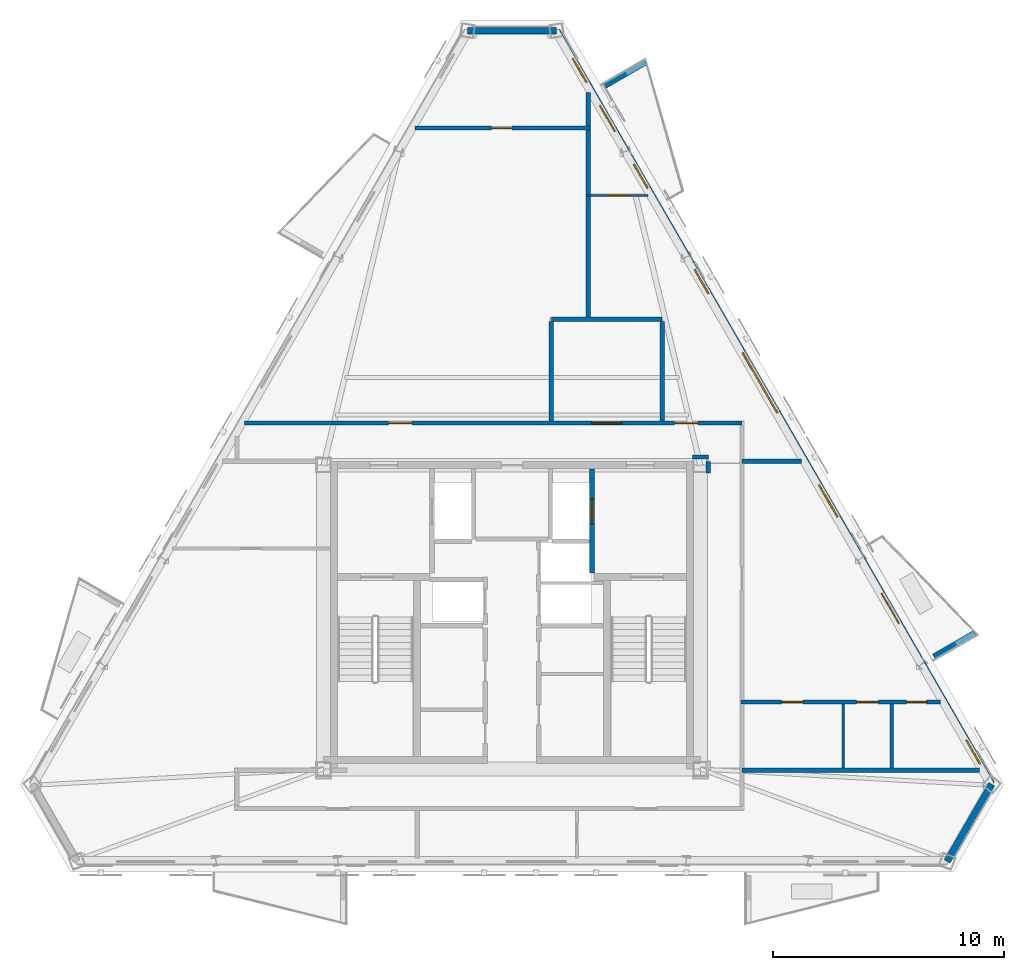
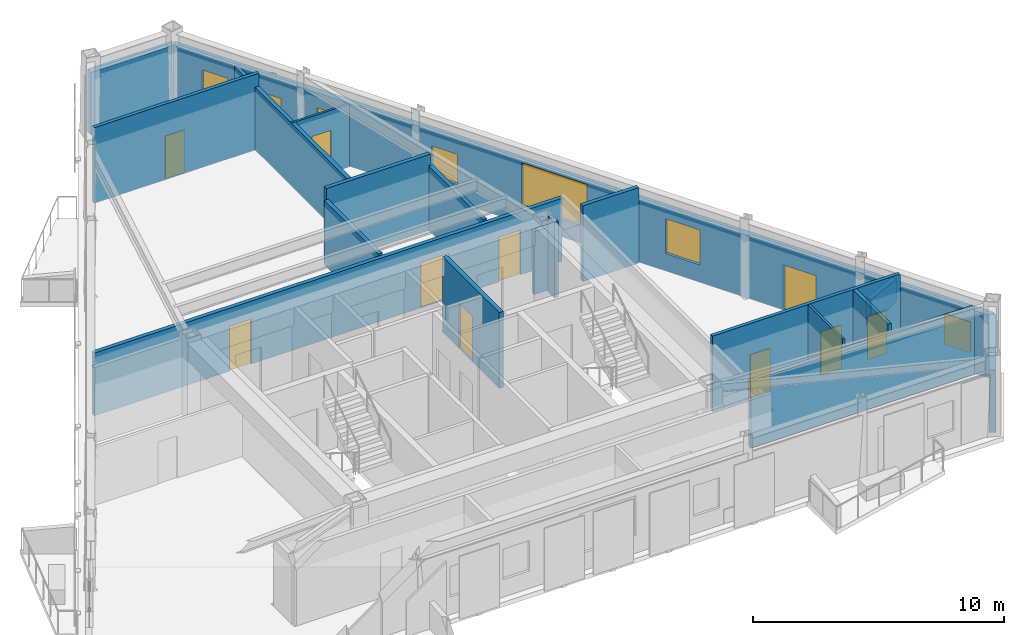
# One storey, part 4 of 9: 20 walls, 11 doors, 6 windows, 17 openings.
"""IFC4 building model written with IfcOpenShell, lengths in metres."""

from ifc_helpers import new_model, si_unit, direction, frame, frame_2d, origin, place, context, subcontext, project, spatial, polyline, rectangle, outline, extrude, material, layer, layer_set, type_object, element, fill, save


model = new_model("IFC4")

# Units and contexts
model_context = context("Model", 3, precision=1e-05, world=origin(), true_north=direction((0.0, 1.0)))
body_context = subcontext(model_context, "Body", "Model", "MODEL_VIEW")
ifc_project = project(units=[si_unit("LENGTHUNIT", "METRE"), si_unit("AREAUNIT", "SQUARE_METRE"), si_unit("VOLUMEUNIT", "CUBIC_METRE"), si_unit("PLANEANGLEUNIT", "RADIAN"), si_unit("MASSUNIT", "GRAM", prefix="KILO")], contexts=[model_context])

# Site, building, storey
site_placement = place(None, origin())
site = spatial("IfcSite", under=ifc_project, at=site_placement, CompositionType="ELEMENT")
building_placement = place(site_placement, origin())
building = spatial("IfcBuilding", under=site, at=building_placement, Name="Oramaril Tower", CompositionType="ELEMENT")
storey_placement = place(building_placement, frame((0.0, 0.0, 301.199951171875)))
storey = spatial("IfcBuildingStorey", under=building, at=storey_placement, Name="L79", CompositionType="ELEMENT", Elevation=301.199951171875)

# Wall
ifc_material_1 = material(Name="Warm Cream Limestone", Category="masonry")
ifc_layer_1 = layer(ifc_material_1, 0.2900390625)
ifc_layer_set_1 = layer_set([ifc_layer_1], Name="WT-EXT29")
wall_type_1 = type_object("IfcWallType", Name="WT-EXT29", PredefinedType="SOLIDWALL", material=ifc_layer_set_1)
wall_1_placement = place(storey_placement, frame((56.328857421875, 6.997802734375, 0.0), z_axis=(0.0, 0.0, 1.0), x_axis=(0.499977629202, 0.866038319186, 0.0)))
element("IfcWall", 1, at=wall_1_placement, inside=storey, type_object=wall_type_1, Name="L79 Tower Limestone Facade Wall 3M", PredefinedType="SOLIDWALL", context=body_context, shape_type="SweptSolid", body=[
    extrude(rectangle(XDim=3.864990234375, YDim=0.2900390625, at=frame_2d((1.9326171875, 0.0))), origin(), (0.0, 0.0, 1.0), 3.05810546875),
])

# Wall, openings, doors, windows
wall_2_placement = place(storey_placement, frame((58.26123046875, 10.344970703125, 0.0), z_axis=(0.0, 0.0, 1.0), x_axis=(-0.499999872078, 0.86602547764, 0.0)))
wall_2 = element("IfcWall", 2, at=wall_2_placement, inside=storey, type_object=wall_type_1, Name="L79 Tower Limestone Facade Wall 4M", PredefinedType="SOLIDWALL", context=body_context, shape_type="SweptSolid", body=[
    extrude(rectangle(XDim=37.65771484375, YDim=0.2900390625, at=frame_2d((18.828857421875, 0.0))), origin(), (0.0, 0.0, 1.0), 3.05810546875),
])
opening_1_placement = place(wall_2_placement, frame((8.034423828125, 0.0, 0.0)))
opening_1 = element("IfcOpeningElement", 3, at=opening_1_placement, cuts=wall_2, Name="Opening D-L79-BAL-NE1", PredefinedType="OPENING", context=body_context, shape_type="SweptSolid", body=[
    extrude(rectangle(XDim=1.5, YDim=2.199951171875, at=frame_2d((0.75, 1.10009765625))), frame((0.0, 0.14501953125, 0.0), z_axis=(0.0, -1.0, 0.0), x_axis=(1.0, 0.0, 0.0)), (0.0, 0.0, 1.0), 0.2900390625),
])
opening_2_placement = place(wall_2_placement, frame((32.618408203125, 0.0, 0.0)))
opening_2 = element("IfcOpeningElement", 4, at=opening_2_placement, cuts=wall_2, Name="Opening D-L79-BAL-NE2", PredefinedType="OPENING", context=body_context, shape_type="SweptSolid", body=[
    extrude(rectangle(XDim=1.300048828125, YDim=2.199951171875, at=frame_2d((0.64990234375, 1.10009765625))), frame((0.0, 0.14501953125, 0.0), z_axis=(0.0, -1.0, 0.0), x_axis=(1.0, 0.0, 0.0)), (0.0, 0.0, 1.0), 0.2900390625),
])
opening_3_placement = place(wall_2_placement, frame((1.002685546875, 0.0, 0.85009765625)))
opening_3 = element("IfcOpeningElement", 5, at=opening_3_placement, cuts=wall_2, Name="Opening WN-09", PredefinedType="OPENING", context=body_context, shape_type="SweptSolid", body=[
    extrude(rectangle(XDim=1.199951171875, YDim=1.47998046875, at=frame_2d((0.60009765625, 0.739990234375))), frame((0.0, 0.14501953125, 0.0), z_axis=(0.0, -1.0, 0.0), x_axis=(1.0, 0.0, 0.0)), (0.0, 0.0, 1.0), 0.2900390625),
])
opening_4_placement = place(wall_2_placement, frame((13.351806640625, 0.0, 0.85009765625)))
opening_4 = element("IfcOpeningElement", 6, at=opening_4_placement, cuts=wall_2, Name="Opening WN-07", PredefinedType="OPENING", context=body_context, shape_type="SweptSolid", body=[
    extrude(rectangle(XDim=1.60009765625, YDim=1.699951171875, at=frame_2d((0.800048828125, 0.85009765625))), frame((0.0, 0.14501953125, 0.0), z_axis=(0.0, -1.0, 0.0), x_axis=(1.0, 0.0, 0.0)), (0.0, 0.0, 1.0), 0.2900390625),
])
opening_5_placement = place(wall_2_placement, frame((35.0634765625, 0.0, 0.85009765625)))
opening_5 = element("IfcOpeningElement", 7, at=opening_5_placement, cuts=wall_2, Name="Opening WN-09", PredefinedType="OPENING", context=body_context, shape_type="SweptSolid", body=[
    extrude(rectangle(XDim=1.199951171875, YDim=1.47998046875, at=frame_2d((0.60009765625, 0.739990234375))), frame((0.0, 0.14501953125, 0.0), z_axis=(0.0, -1.0, 0.0), x_axis=(1.0, 0.0, 0.0)), (0.0, 0.0, 1.0), 0.2900390625),
])
opening_6_placement = place(wall_2_placement, frame((18.558837890625, 0.0, 0.85009765625)))
opening_6 = element("IfcOpeningElement", 8, at=opening_6_placement, cuts=wall_2, Name="Opening WN-10", PredefinedType="OPENING", context=body_context, shape_type="SweptSolid", body=[
    extrude(rectangle(XDim=3.0, YDim=2.097900390625, at=frame_2d((1.5, 1.048828125))), frame((0.0, 0.14501953125, 0.0), z_axis=(0.0, -1.0, 0.0), x_axis=(1.0, 0.0, 0.0)), (0.0, 0.0, 1.0), 0.2900390625),
])
opening_7_placement = place(wall_2_placement, frame((24.513671875, 0.0, 0.85009765625)))
opening_7 = element("IfcOpeningElement", 9, at=opening_7_placement, cuts=wall_2, Name="Opening WN-09", PredefinedType="OPENING", context=body_context, shape_type="SweptSolid", body=[
    extrude(rectangle(XDim=1.199951171875, YDim=1.47998046875, at=frame_2d((0.60009765625, 0.739990234375))), frame((0.0, 0.14501953125, 0.0), z_axis=(0.0, -1.0, 0.0), x_axis=(1.0, 0.0, 0.0)), (0.0, 0.0, 1.0), 0.2900390625),
])
opening_8_placement = place(wall_2_placement, frame((29.7802734375, 0.0, 0.85009765625)))
opening_8 = element("IfcOpeningElement", 10, at=opening_8_placement, cuts=wall_2, Name="Opening WN-09", PredefinedType="OPENING", context=body_context, shape_type="SweptSolid", body=[
    extrude(rectangle(XDim=1.199951171875, YDim=1.47998046875, at=frame_2d((0.60009765625, 0.739990234375))), frame((0.0, 0.14501953125, 0.0), z_axis=(0.0, -1.0, 0.0), x_axis=(1.0, 0.0, 0.0)), (0.0, 0.0, 1.0), 0.2900390625),
])
ifc_material_2 = material(Name="Anodised Aluminium 6063-T6", Category="aluminium")
door_type_1 = type_object("IfcDoorType", Name="DT-BAL", OperationType="NOTDEFINED", PredefinedType="DOOR", material=ifc_material_2)
door_1_placement = place(opening_1_placement, origin())
door_1 = element("IfcDoor", 11, at=door_1_placement, inside=storey, type_object=door_type_1, Name="L79 Balcony Glazed Door L79-BAL-NE1", OperationType="SINGLE_SWING_RIGHT", OverallHeight=2.199951171875, OverallWidth=1.5, PredefinedType="DOOR", context=body_context, shape_type="SweptSolid", body=[
    extrude(rectangle(XDim=1.5, YDim=2.199951171875, at=frame_2d((0.75, 1.10009765625))), frame((0.0, 0.02490234375, 0.0), z_axis=(0.0, -1.0, 0.0), x_axis=(1.0, 0.0, 0.0)), (0.0, 0.0, 1.0), 0.050048828125),
])
fill(opening_1, door_1)
ifc_material_3 = material(Name="Anodised Aluminium 6063-T6", Category="aluminium")
door_type_2 = type_object("IfcDoorType", Name="DT-E2", OperationType="NOTDEFINED", PredefinedType="DOOR", material=ifc_material_3)
door_2_placement = place(opening_2_placement, origin())
door_2 = element("IfcDoor", 12, at=door_2_placement, inside=storey, type_object=door_type_2, Name="L79 Balcony Glazed Door L79-BAL-NE2", OperationType="SINGLE_SWING_LEFT", OverallHeight=2.199951171875, OverallWidth=1.300048828125, PredefinedType="DOOR", context=body_context, shape_type="SweptSolid", body=[
    extrude(rectangle(XDim=1.300048828125, YDim=2.199951171875, at=frame_2d((0.64990234375, 1.10009765625))), frame((0.0, 0.02490234375, 0.0), z_axis=(0.0, -1.0, 0.0), x_axis=(1.0, 0.0, 0.0)), (0.0, 0.0, 1.0), 0.050048828125),
])
fill(opening_2, door_2)
ifc_material_4 = material(Name="Coastal Low-E Insulated Glass", Category="glass")
window_type_1 = type_object("IfcWindowType", Name="WNT-07", PartitioningType="SINGLE_PANEL", PredefinedType="WINDOW", material=ifc_material_4)
window_1_placement = place(opening_4_placement, origin())
window_1 = element("IfcWindow", 13, at=window_1_placement, inside=storey, type_object=window_type_1, Name="L79 Chicago Bay Window WN-07", OverallHeight=1.699951171875, OverallWidth=1.60009765625, PartitioningType="SINGLE_PANEL", PredefinedType="WINDOW", context=body_context, shape_type="SweptSolid", body=[
    extrude(rectangle(XDim=1.60009765625, YDim=1.699951171875, at=frame_2d((0.800048828125, 0.85009765625))), frame((0.0, 0.030029296875, 0.0), z_axis=(0.0, -1.0, 0.0), x_axis=(1.0, 0.0, 0.0)), (0.0, 0.0, 1.0), 0.06005859375),
])
fill(opening_4, window_1)
ifc_material_5 = material(Name="Coastal Low-E Insulated Glass", Category="glass")
window_type_2 = type_object("IfcWindowType", Name="WNT-09", PartitioningType="SINGLE_PANEL", PredefinedType="WINDOW", material=ifc_material_5)
window_2_placement = place(opening_3_placement, origin())
window_2 = element("IfcWindow", 14, at=window_2_placement, inside=storey, type_object=window_type_2, Name="L79 Chicago Bay Window WN-09", OverallHeight=1.47998046875, OverallWidth=1.199951171875, PartitioningType="SINGLE_PANEL", PredefinedType="WINDOW", context=body_context, shape_type="SweptSolid", body=[
    extrude(rectangle(XDim=1.199951171875, YDim=1.47998046875, at=frame_2d((0.60009765625, 0.739990234375))), frame((0.0, 0.030029296875, 0.0), z_axis=(0.0, -1.0, 0.0), x_axis=(1.0, 0.0, 0.0)), (0.0, 0.0, 1.0), 0.06005859375),
])
fill(opening_3, window_2)
window_3_placement = place(opening_5_placement, origin())
window_3 = element("IfcWindow", 15, at=window_3_placement, inside=storey, type_object=window_type_2, Name="L79 Chicago Bay Window WN-09", OverallHeight=1.47998046875, OverallWidth=1.199951171875, PartitioningType="SINGLE_PANEL", PredefinedType="WINDOW", context=body_context, shape_type="SweptSolid", body=[
    extrude(rectangle(XDim=1.199951171875, YDim=1.47998046875, at=frame_2d((0.60009765625, 0.739990234375))), frame((0.0, 0.030029296875, 0.0), z_axis=(0.0, -1.0, 0.0), x_axis=(1.0, 0.0, 0.0)), (0.0, 0.0, 1.0), 0.06005859375),
])
fill(opening_5, window_3)
window_4_placement = place(opening_7_placement, origin())
window_4 = element("IfcWindow", 16, at=window_4_placement, inside=storey, type_object=window_type_2, Name="L79 Chicago Bay Window WN-09", OverallHeight=1.47998046875, OverallWidth=1.199951171875, PartitioningType="SINGLE_PANEL", PredefinedType="WINDOW", context=body_context, shape_type="SweptSolid", body=[
    extrude(rectangle(XDim=1.199951171875, YDim=1.47998046875, at=frame_2d((0.60009765625, 0.739990234375))), frame((0.0, 0.030029296875, 0.0), z_axis=(0.0, -1.0, 0.0), x_axis=(1.0, 0.0, 0.0)), (0.0, 0.0, 1.0), 0.06005859375),
])
fill(opening_7, window_4)
window_5_placement = place(opening_8_placement, origin())
window_5 = element("IfcWindow", 17, at=window_5_placement, inside=storey, type_object=window_type_2, Name="L79 Chicago Bay Window WN-09", OverallHeight=1.47998046875, OverallWidth=1.199951171875, PartitioningType="SINGLE_PANEL", PredefinedType="WINDOW", context=body_context, shape_type="SweptSolid", body=[
    extrude(rectangle(XDim=1.199951171875, YDim=1.47998046875, at=frame_2d((0.60009765625, 0.739990234375))), frame((0.0, 0.030029296875, 0.0), z_axis=(0.0, -1.0, 0.0), x_axis=(1.0, 0.0, 0.0)), (0.0, 0.0, 1.0), 0.06005859375),
])
fill(opening_8, window_5)
ifc_material_6 = material(Name="Coastal Low-E Insulated Glass", Category="glass")
window_type_3 = type_object("IfcWindowType", Name="WNT-10", PartitioningType="SINGLE_PANEL", PredefinedType="WINDOW", material=ifc_material_6)
window_6_placement = place(opening_6_placement, origin())
window_6 = element("IfcWindow", 18, at=window_6_placement, inside=storey, type_object=window_type_3, Name="L79 Chicago Bay Window WN-10", OverallHeight=2.097900390625, OverallWidth=3.0, PartitioningType="SINGLE_PANEL", PredefinedType="WINDOW", context=body_context, shape_type="SweptSolid", body=[
    extrude(rectangle(XDim=3.0, YDim=2.097900390625, at=frame_2d((1.5, 1.048828125))), frame((0.0, 0.030029296875, 0.0), z_axis=(0.0, -1.0, 0.0), x_axis=(1.0, 0.0, 0.0)), (0.0, 0.0, 1.0), 0.06005859375),
])
fill(opening_6, window_6)

# Walls
wall_3_placement = place(storey_placement, frame((39.432373046875, 42.95751953125, 0.0), z_axis=(0.0, 0.0, 1.0), x_axis=(-1.0, 0.0, 0.0)))
element("IfcWall", 19, at=wall_3_placement, inside=storey, type_object=wall_type_1, Name="L79 Tower Limestone Facade Wall 5M", PredefinedType="SOLIDWALL", context=body_context, shape_type="SweptSolid", body=[
    extrude(rectangle(XDim=3.86474609375, YDim=0.2900390625, at=frame_2d((1.932373046875, 0.0))), origin(), (0.0, 0.0, 1.0), 3.05810546875),
])
ifc_material_7 = material(Name="Concrete C40/50", Category="concrete")
ifc_layer_2 = layer(ifc_material_7, 0.22998046875)
ifc_layer_set_2 = layer_set([ifc_layer_2], Name="WT-PRP23")
wall_type_2 = type_object("IfcWallType", Name="WT-PRP23", PredefinedType="PARAPET", material=ifc_layer_set_2)
for number, where, z_axis, x_axis, name in (
    (20, (55.759521484375, 15.874267578125, 0.0), (0.0, 0.0, 1.0), (0.866012356593, 0.500022597718, 0.0), "L79 Trapezoidal Balcony Frame Cheek L79-BAL-NE1-L"),
    (21, (41.507568359375, 40.55908203125, 0.0), (0.0, 0.0, 1.0), (0.866012356593, 0.500022597718, 0.0), "L79 Trapezoidal Balcony Frame Cheek L79-BAL-NE2-R"),
):
    element("IfcWall", number, at=place(storey_placement, frame(where, z_axis=z_axis, x_axis=x_axis)), inside=storey, type_object=wall_type_2, Name=name, PredefinedType="PARAPET", context=body_context, shape_type="SweptSolid", body=[
        extrude(outline(polyline([(0.0, 0.0), (2.0419921875, 0.0), (2.0419921875, 1.10009765625), (0.0, 1.320068359375), (0.0, 0.0)])), frame((0.0, 0.114990234375, 0.0), z_axis=(0.0, -1.0, 0.0), x_axis=(1.0, 0.0, 0.0)), (0.0, 0.0, 1.0), 0.22998046875),
    ])

# Wall, opening, door
ifc_material_8 = material(Name="Acoustic Gypsum Board Partition")
ifc_layer_3 = layer(ifc_material_8, 0.10009765625)
ifc_layer_set_3 = layer_set([ifc_layer_3], Name="WT-PT10")
wall_type_3 = type_object("IfcWallType", Name="WT-PT10", PredefinedType="PARTITIONING", material=ifc_layer_set_3)
wall_4_placement = place(storey_placement, frame((40.718017578125, 35.820068359375, 0.0), z_axis=(0.0, 0.0, 1.0), x_axis=(1.0, 0.0, 0.0)))
wall_4 = element("IfcWall", 22, at=wall_4_placement, inside=storey, type_object=wall_type_3, Name="L79 Interior Partition PT-10", PredefinedType="PARTITIONING", context=body_context, shape_type="SweptSolid", body=[
    extrude(rectangle(XDim=2.6630859375, YDim=0.10009765625, at=frame_2d((1.33154296875, 0.0))), origin(), (0.0, 0.0, 1.0), 3.05810546875),
])
opening_9_placement = place(wall_4_placement, frame((0.93359375, 0.0, 0.0)))
opening_9 = element("IfcOpeningElement", 23, at=opening_9_placement, cuts=wall_4, Name="Opening D-L79-10", PredefinedType="OPENING", context=body_context, shape_type="SweptSolid", body=[
    extrude(rectangle(XDim=0.8798828125, YDim=2.080078125, at=frame_2d((0.43994140625, 1.0400390625))), frame((0.0, 0.050048828125, 0.0), z_axis=(0.0, -1.0, 0.0), x_axis=(1.0, 0.0, 0.0)), (0.0, 0.0, 1.0), 0.10009765625),
])
ifc_material_9 = material(Name="FSC Brazilian Freijo Hardwood", Category="wood")
door_type_3 = type_object("IfcDoorType", Name="DT-BATH", OperationType="NOTDEFINED", PredefinedType="DOOR", material=ifc_material_9)
door_3_placement = place(opening_9_placement, origin())
door_3 = element("IfcDoor", 24, at=door_3_placement, inside=storey, type_object=door_type_3, Name="L79 Flat L79-U5 Bathroom Door D-L79-10", OperationType="SINGLE_SWING_RIGHT", OverallHeight=2.080078125, OverallWidth=0.8798828125, PredefinedType="DOOR", context=body_context, shape_type="SweptSolid", body=[
    extrude(rectangle(XDim=0.8798828125, YDim=2.080078125, at=frame_2d((0.43994140625, 1.0400390625))), frame((0.0, 0.02490234375, 0.0), z_axis=(0.0, -1.0, 0.0), x_axis=(1.0, 0.0, 0.0)), (0.0, 0.0, 1.0), 0.050048828125),
])
fill(opening_9, door_3)

# Wall
wall_5_placement = place(storey_placement, frame((51.830078125, 11.0439453125, 0.0), z_axis=(0.0, 0.0, 1.0), x_axis=(0.0, 1.0, 0.0)))
element("IfcWall", 25, at=wall_5_placement, inside=storey, type_object=wall_type_3, Name="L79 Interior Partition PT-10", PredefinedType="PARTITIONING", context=body_context, shape_type="SweptSolid", body=[
    extrude(rectangle(XDim=2.77197265625, YDim=0.10009765625, at=frame_2d((1.385986328125, 0.0))), origin(), (0.0, 0.0, 1.0), 3.679931640625),
])

# Wall, openings, doors
ifc_material_10 = material(Name="Acoustic Gypsum Board Partition")
ifc_layer_4 = layer(ifc_material_10, 0.159912109375)
ifc_layer_set_4 = layer_set([ifc_layer_4], Name="WT-PT16")
wall_type_4 = type_object("IfcWallType", Name="WT-PT16", PredefinedType="PARTITIONING", material=ifc_layer_set_4)
wall_6_placement = place(storey_placement, frame((47.39990234375, 13.89990234375, 0.0), z_axis=(0.0, 0.0, 1.0), x_axis=(1.0, 0.0, 0.0)))
wall_6 = element("IfcWall", 26, at=wall_6_placement, inside=storey, type_object=wall_type_4, Name="L79 Interior Partition PT-16", PredefinedType="PARTITIONING", context=body_context, shape_type="SweptSolid", body=[
    extrude(rectangle(XDim=8.63671875, YDim=0.159912109375, at=frame_2d((4.318359375, 0.0))), origin(), (0.0, 0.0, 1.0), 3.679931640625),
])
opening_10_placement = place(wall_6_placement, frame((1.764892578125, 0.0, 0.0)))
opening_10 = element("IfcOpeningElement", 27, at=opening_10_placement, cuts=wall_6, Name="Opening D-L79-03", PredefinedType="OPENING", context=body_context, shape_type="SweptSolid", body=[
    extrude(rectangle(XDim=0.919921875, YDim=2.1201171875, at=frame_2d((0.4599609375, 1.06005859375))), frame((0.0, 0.080078125, 0.0), z_axis=(0.0, -1.0, 0.0), x_axis=(1.0, 0.0, 0.0)), (0.0, 0.0, 1.0), 0.159912109375),
])
opening_11_placement = place(wall_6_placement, frame((5.010498046875, 0.0, 0.0)))
opening_11 = element("IfcOpeningElement", 28, at=opening_11_placement, cuts=wall_6, Name="Opening D-L79-04", PredefinedType="OPENING", context=body_context, shape_type="SweptSolid", body=[
    extrude(rectangle(XDim=0.949951171875, YDim=2.10009765625, at=frame_2d((0.47509765625, 1.050048828125))), frame((0.0, 0.080078125, 0.0), z_axis=(0.0, -1.0, 0.0), x_axis=(1.0, 0.0, 0.0)), (0.0, 0.0, 1.0), 0.159912109375),
])
opening_12_placement = place(wall_6_placement, frame((7.16357421875, 0.0, 0.0)))
opening_12 = element("IfcOpeningElement", 29, at=opening_12_placement, cuts=wall_6, Name="Opening D-L79-05", PredefinedType="OPENING", context=body_context, shape_type="SweptSolid", body=[
    extrude(rectangle(XDim=0.8798828125, YDim=2.080078125, at=frame_2d((0.43994140625, 1.0400390625))), frame((0.0, 0.080078125, 0.0), z_axis=(0.0, -1.0, 0.0), x_axis=(1.0, 0.0, 0.0)), (0.0, 0.0, 1.0), 0.159912109375),
])
door_4_placement = place(opening_12_placement, origin())
door_4 = element("IfcDoor", 30, at=door_4_placement, inside=storey, type_object=door_type_3, Name="L79 Flat L79-U3 Bathroom Door D-L79-05", OperationType="SINGLE_SWING_LEFT", OverallHeight=2.080078125, OverallWidth=0.8798828125, PredefinedType="DOOR", context=body_context, shape_type="SweptSolid", body=[
    extrude(rectangle(XDim=0.8798828125, YDim=2.080078125, at=frame_2d((0.43994140625, 1.0400390625))), frame((0.0, 0.02490234375, 0.0), z_axis=(0.0, -1.0, 0.0), x_axis=(1.0, 0.0, 0.0)), (0.0, 0.0, 1.0), 0.050048828125),
])
fill(opening_12, door_4)
ifc_material_11 = material(Name="FSC Brazilian Freijo Hardwood", Category="wood")
door_type_4 = type_object("IfcDoorType", Name="DT-BED", OperationType="NOTDEFINED", PredefinedType="DOOR", material=ifc_material_11)
door_5_placement = place(opening_10_placement, origin())
door_5 = element("IfcDoor", 31, at=door_5_placement, inside=storey, type_object=door_type_4, Name="L79 Flat L79-U3 Master Bedroom Door D-L79-03", OperationType="SINGLE_SWING_LEFT", OverallHeight=2.1201171875, OverallWidth=0.919921875, PredefinedType="DOOR", context=body_context, shape_type="SweptSolid", body=[
    extrude(rectangle(XDim=0.919921875, YDim=2.1201171875, at=frame_2d((0.4599609375, 1.06005859375))), frame((0.0, 0.02490234375, 0.0), z_axis=(0.0, -1.0, 0.0), x_axis=(1.0, 0.0, 0.0)), (0.0, 0.0, 1.0), 0.050048828125),
])
fill(opening_10, door_5)
ifc_material_12 = material(Name="FSC Brazilian Freijo Hardwood", Category="wood")
door_type_5 = type_object("IfcDoorType", Name="DT-STDY", OperationType="NOTDEFINED", PredefinedType="DOOR", material=ifc_material_12)
door_6_placement = place(opening_11_placement, origin())
door_6 = element("IfcDoor", 32, at=door_6_placement, inside=storey, type_object=door_type_5, Name="L79 Flat L79-U3 Kitchen Door D-L79-04", OperationType="SINGLE_SWING_RIGHT", OverallHeight=2.10009765625, OverallWidth=0.949951171875, PredefinedType="DOOR", context=body_context, shape_type="SweptSolid", body=[
    extrude(rectangle(XDim=0.949951171875, YDim=2.10009765625, at=frame_2d((0.47509765625, 1.050048828125))), frame((0.0, 0.02490234375, 0.0), z_axis=(0.0, -1.0, 0.0), x_axis=(1.0, 0.0, 0.0)), (0.0, 0.0, 1.0), 0.050048828125),
])
fill(opening_11, door_6)

# Wall, opening, door
wall_7_placement = place(storey_placement, frame((33.3046875, 38.739990234375, 0.0), z_axis=(0.0, 0.0, 1.0), x_axis=(1.0, 0.0, 0.0)))
wall_7 = element("IfcWall", 33, at=wall_7_placement, inside=storey, type_object=wall_type_4, Name="L79 Interior Partition PT-16", PredefinedType="PARTITIONING", context=body_context, shape_type="SweptSolid", body=[
    extrude(rectangle(XDim=7.577392578125, YDim=0.159912109375, at=frame_2d((3.78857421875, 0.0))), origin(), (0.0, 0.0, 1.0), 3.679931640625),
])
opening_13_placement = place(wall_7_placement, frame((3.3076171875, 0.0, 0.0)))
opening_13 = element("IfcOpeningElement", 34, at=opening_13_placement, cuts=wall_7, Name="Opening D-L79-11", PredefinedType="OPENING", context=body_context, shape_type="SweptSolid", body=[
    extrude(rectangle(XDim=0.8798828125, YDim=2.080078125, at=frame_2d((0.43994140625, 1.0400390625))), frame((0.0, 0.080078125, 0.0), z_axis=(0.0, -1.0, 0.0), x_axis=(1.0, 0.0, 0.0)), (0.0, 0.0, 1.0), 0.159912109375),
])
door_7_placement = place(opening_13_placement, origin())
door_7 = element("IfcDoor", 35, at=door_7_placement, inside=storey, type_object=door_type_3, Name="L79 Flat L79-U4 Bathroom Door D-L79-11", OperationType="SINGLE_SWING_LEFT", OverallHeight=2.080078125, OverallWidth=0.8798828125, PredefinedType="DOOR", context=body_context, shape_type="SweptSolid", body=[
    extrude(rectangle(XDim=0.8798828125, YDim=2.080078125, at=frame_2d((0.43994140625, 1.0400390625))), frame((0.0, 0.02490234375, 0.0), z_axis=(0.0, -1.0, 0.0), x_axis=(1.0, 0.0, 0.0)), (0.0, 0.0, 1.0), 0.050048828125),
])
fill(opening_13, door_7)

# Walls
wall_8_placement = place(storey_placement, frame((53.93994140625, 11.0439453125, 0.0), z_axis=(0.0, 0.0, 1.0), x_axis=(0.0, 1.0, 0.0)))
element("IfcWall", 36, at=wall_8_placement, inside=storey, type_object=wall_type_4, Name="L79 Interior Partition PT-16", PredefinedType="PARTITIONING", context=body_context, shape_type="SweptSolid", body=[
    extrude(rectangle(XDim=2.77197265625, YDim=0.159912109375, at=frame_2d((1.385986328125, 0.0))), origin(), (0.0, 0.0, 1.0), 3.679931640625),
])
ifc_material_13 = material(Name="Autoclaved Cellular Concrete Block", Category="concrete")
ifc_layer_5 = layer(ifc_material_13, 0.179931640625)
ifc_layer_set_5 = layer_set([ifc_layer_5], Name="WT-PT18")
wall_type_5 = type_object("IfcWallType", Name="WT-PT18", PredefinedType="PARTITIONING", material=ifc_layer_set_5)
wall_9_placement = place(storey_placement, frame((47.449951171875, 10.949951171875, 0.0), z_axis=(0.0, 0.0, 1.0), x_axis=(1.0, 0.0, 0.0)))
element("IfcWall", 37, at=wall_9_placement, inside=storey, type_object=wall_type_5, Name="L79 Interior Partition PT-18", PredefinedType="PARTITIONING", context=body_context, shape_type="SweptSolid", body=[
    extrude(rectangle(XDim=10.2900390625, YDim=0.179931640625, at=frame_2d((5.14501953125, 0.0))), origin(), (0.0, 0.0, 1.0), 3.26611328125),
])
wall_10_placement = place(storey_placement, frame((47.449951171875, 24.320068359375, 0.0), z_axis=(0.0, 0.0, 1.0), x_axis=(1.0, 0.0, 0.0)))
element("IfcWall", 38, at=wall_10_placement, inside=storey, type_object=wall_type_5, Name="L79 Interior Partition PT-18", PredefinedType="PARTITIONING", context=body_context, shape_type="SweptSolid", body=[
    extrude(rectangle(XDim=2.57080078125, YDim=0.179931640625, at=frame_2d((1.285400390625, 0.0))), origin(), (0.0, 0.0, 1.0), 3.679931640625),
])
wall_11_placement = place(storey_placement, frame((45.304931640625, 24.5, 0.0), z_axis=(0.0, 0.0, 1.0), x_axis=(1.0, 0.0, 0.0)))
element("IfcWall", 39, at=wall_11_placement, inside=storey, type_object=wall_type_5, Name="L79 Interior Partition PT-18", PredefinedType="PARTITIONING", context=body_context, shape_type="SweptSolid", body=[
    extrude(rectangle(XDim=0.690185546875, YDim=0.179931640625, at=frame_2d((0.34521484375, 0.0))), origin(), (0.0, 0.0, 1.0), 3.05810546875),
])

# Wall, openings, doors
wall_12_placement = place(storey_placement, frame((25.931884765625, 25.969970703125, 0.0), z_axis=(0.0, 0.0, 1.0), x_axis=(1.0, 0.0, 0.0)))
wall_12 = element("IfcWall", 40, at=wall_12_placement, inside=storey, type_object=wall_type_5, Name="L79 Interior Partition PT-18", PredefinedType="PARTITIONING", context=body_context, shape_type="SweptSolid", body=[
    extrude(rectangle(XDim=21.51806640625, YDim=0.179931640625, at=frame_2d((10.759033203125, 0.0))), origin(), (0.0, 0.0, 1.0), 3.05810546875),
])
opening_14_placement = place(wall_12_placement, frame((6.22998046875, 0.0, 0.0)))
opening_14 = element("IfcOpeningElement", 41, at=opening_14_placement, cuts=wall_12, Name="Opening D-L79-07", PredefinedType="OPENING", context=body_context, shape_type="SweptSolid", body=[
    extrude(rectangle(XDim=1.0, YDim=2.179931640625, at=frame_2d((0.5, 1.08984375))), frame((0.0, 0.08984375, 0.0), z_axis=(0.0, -1.0, 0.0), x_axis=(1.0, 0.0, 0.0)), (0.0, 0.0, 1.0), 0.179931640625),
])
opening_15_placement = place(wall_12_placement, frame((15.01806640625, 0.0, 0.0)))
opening_15 = element("IfcOpeningElement", 42, at=opening_15_placement, cuts=wall_12, Name="Opening D-L79-08", PredefinedType="OPENING", context=body_context, shape_type="SweptSolid", body=[
    extrude(rectangle(XDim=1.300048828125, YDim=2.199951171875, at=frame_2d((0.64990234375, 1.10009765625))), frame((0.0, 0.08984375, 0.0), z_axis=(0.0, -1.0, 0.0), x_axis=(1.0, 0.0, 0.0)), (0.0, 0.0, 1.0), 0.179931640625),
])
opening_16_placement = place(wall_12_placement, frame((18.6083984375, 0.0, 0.0)))
opening_16 = element("IfcOpeningElement", 43, at=opening_16_placement, cuts=wall_12, Name="Opening D-L79-09", PredefinedType="OPENING", context=body_context, shape_type="SweptSolid", body=[
    extrude(rectangle(XDim=1.0, YDim=2.179931640625, at=frame_2d((0.5, 1.08984375))), frame((0.0, 0.08984375, 0.0), z_axis=(0.0, -1.0, 0.0), x_axis=(1.0, 0.0, 0.0)), (0.0, 0.0, 1.0), 0.179931640625),
])
ifc_material_14 = material(Name="FSC Brazilian Freijo Hardwood", Category="wood")
door_type_6 = type_object("IfcDoorType", Name="DT-APT", OperationType="NOTDEFINED", PredefinedType="DOOR", material=ifc_material_14)
door_8_placement = place(opening_14_placement, origin())
door_8 = element("IfcDoor", 44, at=door_8_placement, inside=storey, type_object=door_type_6, Name="L79 Flat L79-U4 Kitchen and Studio Apartment Door D-L79-07", OperationType="SINGLE_SWING_LEFT", OverallHeight=2.179931640625, OverallWidth=1.0, PredefinedType="DOOR", context=body_context, shape_type="SweptSolid", body=[
    extrude(rectangle(XDim=1.0, YDim=2.179931640625, at=frame_2d((0.5, 1.08984375))), frame((0.0, 0.02490234375, 0.0), z_axis=(0.0, -1.0, 0.0), x_axis=(1.0, 0.0, 0.0)), (0.0, 0.0, 1.0), 0.050048828125),
])
fill(opening_14, door_8)
door_9_placement = place(opening_16_placement, origin())
door_9 = element("IfcDoor", 45, at=door_9_placement, inside=storey, type_object=door_type_6, Name="L79 Flat L79-U5 Kitchen and Studio Apartment Door D-L79-09", OperationType="SINGLE_SWING_LEFT", OverallHeight=2.179931640625, OverallWidth=1.0, PredefinedType="DOOR", context=body_context, shape_type="SweptSolid", body=[
    extrude(rectangle(XDim=1.0, YDim=2.179931640625, at=frame_2d((0.5, 1.08984375))), frame((0.0, 0.02490234375, 0.0), z_axis=(0.0, -1.0, 0.0), x_axis=(1.0, 0.0, 0.0)), (0.0, 0.0, 1.0), 0.050048828125),
])
fill(opening_16, door_9)
ifc_material_15 = material(Name="FSC Brazilian Freijo Hardwood", Category="wood")
door_type_7 = type_object("IfcDoorType", Name="DT-COM", OperationType="NOTDEFINED", PredefinedType="DOOR", material=ifc_material_15)
door_10_placement = place(opening_15_placement, origin())
door_10 = element("IfcDoor", 46, at=door_10_placement, inside=storey, type_object=door_type_7, Name="L79 L79 Floor Co-Working Office Suite Door D-L79-08", OperationType="SINGLE_SWING_RIGHT", OverallHeight=2.199951171875, OverallWidth=1.300048828125, PredefinedType="DOOR", context=body_context, shape_type="SweptSolid", body=[
    extrude(rectangle(XDim=1.300048828125, YDim=2.199951171875, at=frame_2d((0.64990234375, 1.10009765625))), frame((0.0, 0.02490234375, 0.0), z_axis=(0.0, -1.0, 0.0), x_axis=(1.0, 0.0, 0.0)), (0.0, 0.0, 1.0), 0.050048828125),
])
fill(opening_15, door_10)

# Walls
wall_13_placement = place(storey_placement, frame((39.199951171875, 30.469970703125, 0.0), z_axis=(0.0, 0.0, 1.0), x_axis=(1.0, 0.0, 0.0)))
element("IfcWall", 47, at=wall_13_placement, inside=storey, type_object=wall_type_5, Name="L79 Interior Partition PT-18", PredefinedType="PARTITIONING", context=body_context, shape_type="SweptSolid", body=[
    extrude(rectangle(XDim=4.800048828125, YDim=0.179931640625, at=frame_2d((2.39990234375, 0.0))), origin(), (0.0, 0.0, 1.0), 3.679931640625),
])
wall_14_placement = place(storey_placement, frame((39.199951171875, 26.06396484375, 0.0), z_axis=(0.0, 0.0, 1.0), x_axis=(0.0, 1.0, 0.0)))
element("IfcWall", 48, at=wall_14_placement, inside=storey, type_object=wall_type_5, Name="L79 Interior Partition PT-18", PredefinedType="PARTITIONING", context=body_context, shape_type="SweptSolid", body=[
    extrude(rectangle(XDim=4.31201171875, YDim=0.179931640625, at=frame_2d((2.156005859375, 0.0))), origin(), (0.0, 0.0, 1.0), 3.14208984375),
])
wall_15_placement = place(storey_placement, frame((40.800048828125, 30.56396484375, 0.0), z_axis=(0.0, 0.0, 1.0), x_axis=(0.0, 1.0, 0.0)))
element("IfcWall", 49, at=wall_15_placement, inside=storey, type_object=wall_type_5, Name="L79 Interior Partition PT-18", PredefinedType="PARTITIONING", context=body_context, shape_type="SweptSolid", body=[
    extrude(rectangle(XDim=9.726806640625, YDim=0.179931640625, at=frame_2d((4.86328125, 0.0))), origin(), (0.0, 0.0, 1.0), 3.05810546875),
])
wall_16_placement = place(storey_placement, frame((44.0, 26.06396484375, 0.0), z_axis=(0.0, 0.0, 1.0), x_axis=(0.0, 1.0, 0.0)))
element("IfcWall", 50, at=wall_16_placement, inside=storey, type_object=wall_type_5, Name="L79 Interior Partition PT-18", PredefinedType="PARTITIONING", context=body_context, shape_type="SweptSolid", body=[
    extrude(rectangle(XDim=4.31201171875, YDim=0.179931640625, at=frame_2d((2.156005859375, 0.0))), origin(), (0.0, 0.0, 1.0), 3.14208984375),
])
wall_17_placement = place(storey_placement, frame((45.989990234375, 23.81005859375, 0.0), z_axis=(0.0, 0.0, 1.0), x_axis=(0.0, 1.0, 0.0)))
element("IfcWall", 51, at=wall_17_placement, inside=storey, type_object=wall_type_5, Name="L79 Interior Partition PT-18", PredefinedType="PARTITIONING", context=body_context, shape_type="SweptSolid", body=[
    extrude(rectangle(XDim=0.510009765625, YDim=0.179931640625, at=frame_2d((0.2548828125, 0.0))), origin(), (0.0, 0.0, 1.0), 3.679931640625),
])

# Wall, opening, door
ifc_material_16 = material(Name="Autoclaved Cellular Concrete Block", Category="concrete")
ifc_layer_6 = layer(ifc_material_16, 0.199951171875)
ifc_layer_set_6 = layer_set([ifc_layer_6], Name="WT-SHF20")
wall_type_6 = type_object("IfcWallType", Name="WT-SHF20", PredefinedType="PARTITIONING", material=ifc_layer_set_6)
wall_18_placement = place(storey_placement, frame((40.9599609375, 19.47998046875, 0.0), z_axis=(0.0, 0.0, 1.0), x_axis=(0.0, 1.0, 0.0)))
wall_18 = element("IfcWall", 52, at=wall_18_placement, inside=storey, type_object=wall_type_6, Name="L79 FL-2 Lobby Shaft Wall", PredefinedType="PARTITIONING", context=body_context, shape_type="SweptSolid", body=[
    extrude(rectangle(XDim=4.5, YDim=0.199951171875, at=frame_2d((2.25, 0.0))), origin(), (0.0, 0.0, 1.0), 3.679931640625),
])
opening_17_placement = place(wall_18_placement, frame((2.1201171875, 0.0, 0.0)))
opening_17 = element("IfcOpeningElement", 53, at=opening_17_placement, cuts=wall_18, Name="Opening LD-L79-FL-2", PredefinedType="OPENING", context=body_context, shape_type="SweptSolid", body=[
    extrude(rectangle(XDim=1.10009765625, YDim=2.199951171875, at=frame_2d((0.550048828125, 1.10009765625))), frame((0.0, 0.10009765625, 0.0), z_axis=(0.0, -1.0, 0.0), x_axis=(1.0, 0.0, 0.0)), (0.0, 0.0, 1.0), 0.199951171875),
])
ifc_material_17 = material(Name="Stainless Steel 316L", Category="steel")
door_type_8 = type_object("IfcDoorType", Name="DT-LD1", OperationType="NOTDEFINED", PredefinedType="DOOR", material=ifc_material_17)
door_11_placement = place(opening_17_placement, origin())
door_11 = element("IfcDoor", 54, at=door_11_placement, inside=storey, type_object=door_type_8, Name="L79 Lift FL-2 Sliding Landing Door", OperationType="SLIDING_TO_RIGHT", OverallHeight=2.199951171875, OverallWidth=1.10009765625, PredefinedType="DOOR", context=body_context, shape_type="SweptSolid", body=[
    extrude(rectangle(XDim=1.10009765625, YDim=2.199951171875, at=frame_2d((0.550048828125, 1.10009765625))), frame((0.0, 0.02490234375, 0.0), z_axis=(0.0, -1.0, 0.0), x_axis=(1.0, 0.0, 0.0)), (0.0, 0.0, 1.0), 0.050048828125),
])
fill(opening_17, door_11)

save(model, "model.ifc")
